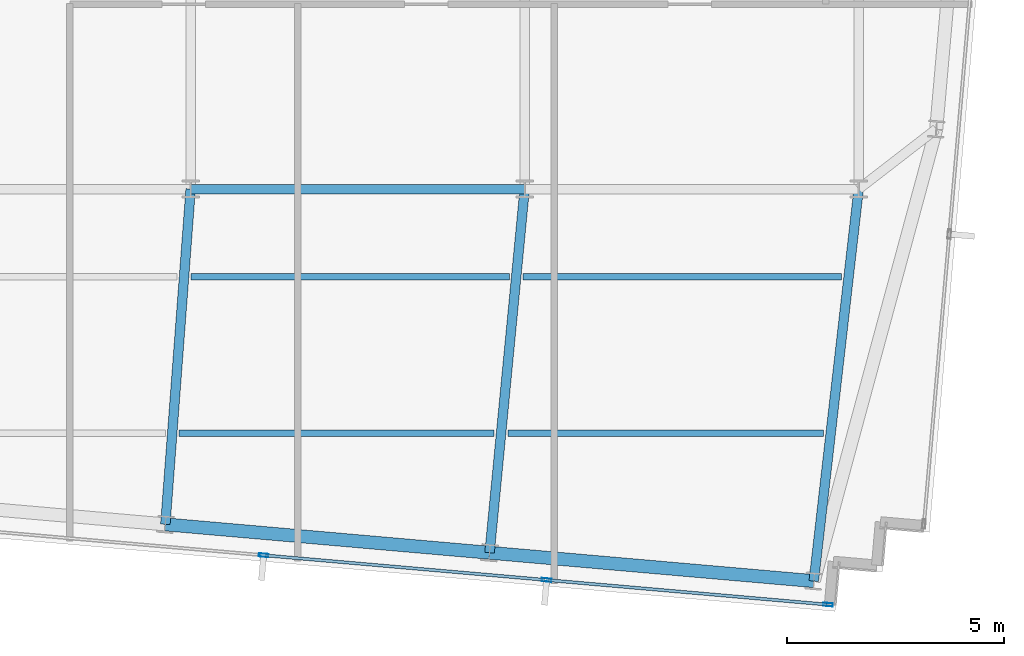
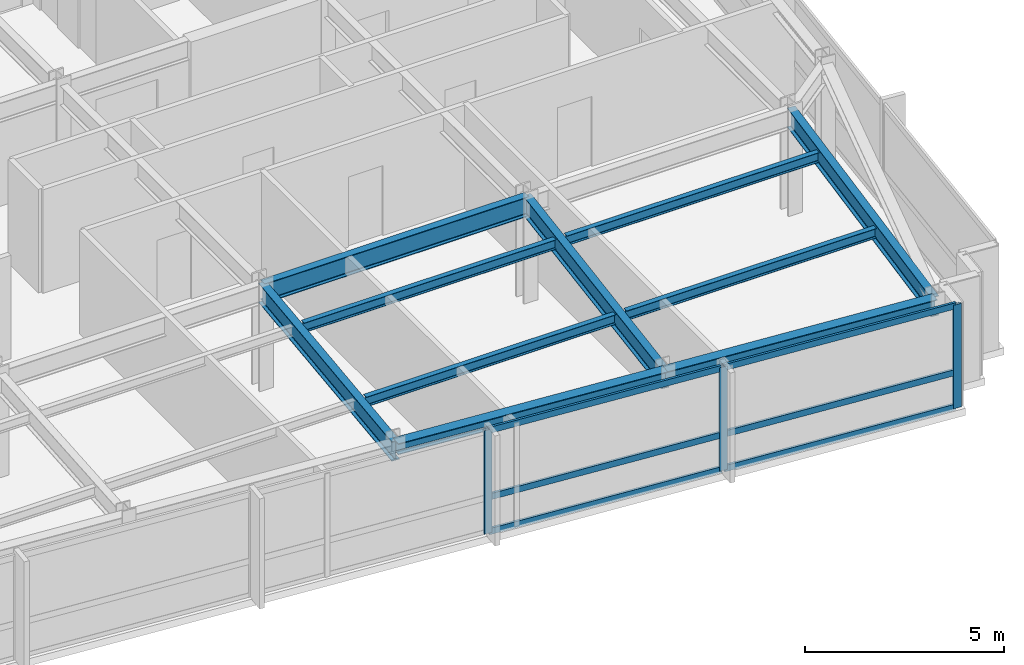
# One storey, part 10 of 24: 10 beams, 9 members, 1 element without a shape of its own.
"""IFC4 building model written with IfcOpenShell, lengths in metres."""

import ifcopenshell
import ifcopenshell.guid

model = None  # the IFC model being written
_history = None  # IfcOwnerHistory: only IFC2X3 demands one
_inside = {}  # id of a spatial element -> (the spatial element, [elements in it])
_under = {}  # id of a project, library or spatial element -> (it, [spatial elements below it])
_declared = {}  # id of a project -> (the project, [libraries it declares])
_typed = {}  # id of a type object -> (the type object, [elements of that type])
_made_of = {}  # id of a material, layer set ... -> (it, [elements and type objects made of it])


def new_model(schema):
    """Start an empty IFC model of exactly this schema.

    Asked for "IFC4X3", IfcOpenShell would pick the latest addendum, in which some entities
    have other attributes; the version numbers below select the first issue.
    IFC2X3 requires an IfcOwnerHistory on every rooted entity: one is made here for all.
    """
    global model, _history
    if schema == "IFC4X3":
        model = ifcopenshell.file(schema_version=(4, 3, 0, 0))
    else:
        model = ifcopenshell.file(schema=schema)
    _inside.clear()
    _under.clear()
    _declared.clear()
    _typed.clear()
    _made_of.clear()
    _history = None
    if model.schema == "IFC2X3":
        org = make("IfcOrganization", Name="unknown")
        user = make(
            "IfcPersonAndOrganization",
            ThePerson=make("IfcPerson", FamilyName="unknown"),
            TheOrganization=org,
        )
        app = make(
            "IfcApplication",
            ApplicationDeveloper=org,
            Version="unknown",
            ApplicationFullName="unknown",
            ApplicationIdentifier="unknown",
        )
        _history = make(
            "IfcOwnerHistory",
            OwningUser=user,
            OwningApplication=app,
            ChangeAction="ADDED",
            CreationDate=0,
        )
    return model


def make(cls, **values):
    """One entity of the class cls with the attributes given. An attribute that is None is left unset."""
    return model.create_entity(
        cls, **{name: value for name, value in values.items() if value is not None}
    )


def rooted(cls, **values):
    """An entity with a GlobalId (a new one), such as an element, a storey or a relation."""
    return make(cls, GlobalId=ifcopenshell.guid.new(), OwnerHistory=_history, **values)


def si_unit(unit_type, name, prefix=None):
    """IfcSIUnit, for example si_unit("LENGTHUNIT", "METRE", prefix="MILLI")."""
    return make("IfcSIUnit", UnitType=unit_type, Prefix=prefix, Name=name)


def assignment(units):
    """IfcUnitAssignment: the units of a project."""
    return None if units is None else make("IfcUnitAssignment", Units=units)


def point(xyz):
    """IfcCartesianPoint."""
    return None if xyz is None else make("IfcCartesianPoint", Coordinates=xyz)


def direction(xyz):
    """IfcDirection."""
    return None if xyz is None else make("IfcDirection", DirectionRatios=xyz)


def frame(location, z_axis=None, x_axis=None):
    """IfcAxis2Placement3D, a coordinate frame: its origin and axes. An axis left out is left unset."""
    return make(
        "IfcAxis2Placement3D",
        Location=point(location),
        Axis=direction(z_axis),
        RefDirection=direction(x_axis),
    )


def frame_2d(location, x_axis=None):
    """IfcAxis2Placement2D, a coordinate frame in the plane: its origin and x axis."""
    return make(
        "IfcAxis2Placement2D", Location=point(location), RefDirection=direction(x_axis)
    )


def origin():
    """The frame at (0, 0, 0) with its axes left unset."""
    return frame((0.0, 0.0, 0.0))


def origin_2d():
    """The frame at (0, 0) in the plane with its x axis left unset."""
    return frame_2d((0.0, 0.0))


def place(relative_to, where):
    """IfcLocalPlacement: puts the frame where relative to a parent placement (None: the world)."""
    return make(
        "IfcLocalPlacement", PlacementRelTo=relative_to, RelativePlacement=where
    )


def context(
    kind, dimensions, precision=None, world=None, true_north=None, identifier=None
):
    """IfcGeometricRepresentationContext, for example the 3D "Model" context."""
    return make(
        "IfcGeometricRepresentationContext",
        ContextIdentifier=identifier,
        ContextType=kind,
        CoordinateSpaceDimension=dimensions,
        Precision=precision,
        WorldCoordinateSystem=world,
        TrueNorth=true_north,
    )


def subcontext(parent, identifier, kind, view, scale=None):
    """IfcGeometricRepresentationSubContext, for example "Body" below "Model"."""
    return make(
        "IfcGeometricRepresentationSubContext",
        ContextIdentifier=identifier,
        ContextType=kind,
        ParentContext=parent,
        TargetScale=scale,
        TargetView=view,
    )


def project(units=None, contexts=None):
    """IfcProject with its units and contexts."""
    return rooted(
        "IfcProject",
        Name="project",
        RepresentationContexts=contexts,
        UnitsInContext=assignment(units),
    )


def spatial(cls, under=None, at=None, **own):
    """A site, building, storey or space (cls), placed at a placement, below another one or the project."""
    s = rooted(cls, ObjectPlacement=at, **own)
    if under is not None:
        _under.setdefault(under.id(), (under, []))[1].append(s)
    return s


def profile(cls, at=None, kind="AREA", **sizes):
    """A parametric profile (cls). Its sizes go by their IFC names, for example OverallWidth=200.0."""
    return make(cls, ProfileType=kind, Position=at, **sizes)


def hollow_rectangle(**sizes):
    """IfcRectangleHollowProfileDef."""
    return profile("IfcRectangleHollowProfileDef", **sizes)


def i_section(**sizes):
    """IfcIShapeProfileDef."""
    return profile("IfcIShapeProfileDef", **sizes)


def extrude(swept, where, along, depth):
    """IfcExtrudedAreaSolid: the profile swept, set in the frame where, extruded along a direction by depth."""
    return make(
        "IfcExtrudedAreaSolid",
        SweptArea=swept,
        Position=where,
        ExtrudedDirection=direction(along),
        Depth=depth,
    )


def shape(context_of_items, identifier, shape_type, items):
    """IfcShapeRepresentation: the items that make up one representation, for example the "Body"."""
    return make(
        "IfcShapeRepresentation",
        ContextOfItems=context_of_items,
        RepresentationIdentifier=identifier,
        RepresentationType=shape_type,
        Items=items,
    )


def material(Name=None, Category=None):
    """IfcMaterial."""
    return make("IfcMaterial", Name=Name, Category=Category)


def material_profile(
    of_material, cross_section, Name=None, Category=None, Priority=None
):
    """IfcMaterialProfile: a cross section and its material."""
    return make(
        "IfcMaterialProfile",
        Name=Name,
        Material=of_material,
        Profile=cross_section,
        Priority=Priority,
        Category=Category,
    )


def profile_set(profiles, Name=None, composite=None):
    """IfcMaterialProfileSet."""
    return make(
        "IfcMaterialProfileSet",
        Name=Name,
        MaterialProfiles=profiles,
        CompositeProfile=composite,
    )


def made_of(thing, what):
    """Note that an element or type object is made of a material, layer set ...; save() writes the relation."""
    if what is not None:
        _made_of.setdefault(what.id(), (what, []))[1].append(thing)
    return thing


def type_object(cls, material=None, **own):
    """A type object (cls), such as IfcWallType, which elements share."""
    return made_of(rooted(cls, **own), material)


def element(
    cls,
    number,
    at=None,
    inside=None,
    cuts=None,
    type_object=None,
    material=None,
    context=None,
    identifier="Body",
    shape_type=None,
    held_by="IfcProductDefinitionShape",
    body=None,
    shapes=None,
    **own,
):
    """One element of the class cls, such as IfcWall. Its Tag is "e" and its number.

    at: its placement. inside: the storey or other place that contains it. cuts: it is an
    opening in that element (IfcRelVoidsElement). A single representation is given by context,
    identifier, shape_type and body (its items); several are given by shapes. held_by: the class
    of the entity that holds the representations. save() writes the other relations.
    """
    e = rooted(cls, Tag="e%d" % number, ObjectPlacement=at, **own)
    if body is not None:
        shapes = [shape(context, identifier, shape_type, body)]
    if shapes is not None:
        e.Representation = make(held_by, Representations=shapes)
    if inside is not None:
        _inside.setdefault(inside.id(), (inside, []))[1].append(e)
    if cuts is not None:
        rooted(
            "IfcRelVoidsElement", RelatingBuildingElement=cuts, RelatedOpeningElement=e
        )
    if type_object is not None:
        _typed.setdefault(type_object.id(), (type_object, []))[1].append(e)
    return made_of(e, material)


def aggregate(whole, parts):
    """IfcRelAggregates: a whole, such as a stair, and the parts it consists of."""
    return rooted("IfcRelAggregates", RelatingObject=whole, RelatedObjects=parts)


def save(model, path):
    """Write the relations noted so far, then the file.

    IfcRelAggregates (storeys below a building ...), IfcRelContainedInSpatialStructure (elements
    in a storey), IfcRelDefinesByType, IfcRelAssociatesMaterial and IfcRelDeclares: one each for
    every whole, place, type object, material and project.
    """
    for whole, parts in _under.values():
        aggregate(whole, parts)
    for where, things in _inside.values():
        rooted(
            "IfcRelContainedInSpatialStructure",
            RelatedElements=things,
            RelatingStructure=where,
        )
    for kind, things in _typed.values():
        rooted("IfcRelDefinesByType", RelatedObjects=things, RelatingType=kind)
    for what, things in _made_of.values():
        rooted("IfcRelAssociatesMaterial", RelatedObjects=things, RelatingMaterial=what)
    for by, libraries in _declared.values():
        rooted("IfcRelDeclares", RelatingContext=by, RelatedDefinitions=libraries)
    model.write(path)


model = new_model("IFC4")

# Units and contexts
model_context = context("Model", 3, precision=1e-05, world=origin(), true_north=direction((0.0, 1.0)))
body_context = subcontext(model_context, "Body", "Model", "MODEL_VIEW")
ifc_project = project(units=[si_unit("LENGTHUNIT", "METRE"), si_unit("AREAUNIT", "SQUARE_METRE"), si_unit("VOLUMEUNIT", "CUBIC_METRE"), si_unit("PLANEANGLEUNIT", "RADIAN"), si_unit("MASSUNIT", "GRAM", prefix="KILO")], contexts=[model_context])

# Site, building, storey
site_placement = place(None, origin())
site = spatial("IfcSite", under=ifc_project, at=site_placement, CompositionType="ELEMENT")
building_placement = place(site_placement, origin())
building = spatial("IfcBuilding", under=site, at=building_placement, Name="Yelkora Congress Tower", CompositionType="ELEMENT")
storey_placement = place(building_placement, frame((0.0, 0.0, 296.5)))
storey = spatial("IfcBuildingStorey", under=building, at=storey_placement, Name="L83", CompositionType="ELEMENT", Elevation=296.5)

# Beams
ifc_material_1 = material(Name="Steel S355J2", Category="steel")
ifc_material_profile_1 = material_profile(ifc_material_1, i_section(OverallWidth=0.219970703125, OverallDepth=0.60009765625, WebThickness=0.011962890625, FlangeThickness=0.01904296875, FilletRadius=0.02392578125, at=origin_2d()), Name="IPE 600")
ifc_profile_set_1 = profile_set([ifc_material_profile_1], Name="Steel S355J2")
beam_type_1 = type_object("IfcBeamType", Name="BM-GIRD-IPE600", PredefinedType="BEAM", material=ifc_profile_set_1)
beam_1_placement = place(storey_placement, frame((38.39990234375, 25.199951171875, 2.8798828125), z_axis=(1.0, 0.0, 0.0), x_axis=(0.0, 1.0, 0.0)))
element("IfcBeam", 1, at=beam_1_placement, inside=storey, type_object=beam_type_1, Name="L83 Spine Grid D Girder 3", PredefinedType="BEAM", context=body_context, shape_type="SweptSolid", body=[
    extrude(i_section(OverallWidth=0.219970703125, OverallDepth=0.60009765625, WebThickness=0.011962890625, FlangeThickness=0.01904296875, FilletRadius=0.02392578125, at=origin_2d()), origin(), (0.0, 0.0, 1.0), 7.68017578125),
])
beam_2_placement = place(storey_placement, frame((37.8173828125, 17.489013671875, 2.8798828125), z_axis=(0.075329932006, 0.997158664077, 0.0), x_axis=(-0.997158664077, 0.075329932006, 0.0)))
element("IfcBeam", 2, at=beam_2_placement, inside=storey, type_object=beam_type_1, Name="L83 Primary Frame Girder S05", PredefinedType="BEAM", context=body_context, shape_type="SweptSolid", body=[
    extrude(i_section(OverallWidth=0.219970703125, OverallDepth=0.60009765625, WebThickness=0.011962890625, FlangeThickness=0.01904296875, FilletRadius=0.02392578125, at=origin_2d()), origin(), (0.0, 0.0, 1.0), 7.73291015625),
])
beam_3_placement = place(storey_placement, frame((45.2724609375, 16.836669921875, 2.8798828125), z_axis=(0.096119896563, 0.995369763196, 0.0), x_axis=(-0.995369763196, 0.096119896563, 0.0)))
element("IfcBeam", 3, at=beam_3_placement, inside=storey, type_object=beam_type_1, Name="L83 Primary Frame Girder S06", PredefinedType="BEAM", context=body_context, shape_type="SweptSolid", body=[
    extrude(i_section(OverallWidth=0.219970703125, OverallDepth=0.60009765625, WebThickness=0.011962890625, FlangeThickness=0.01904296875, FilletRadius=0.02392578125, at=origin_2d()), origin(), (0.0, 0.0, 1.0), 8.402099609375),
])
beam_4_placement = place(storey_placement, frame((52.727294921875, 16.1845703125, 2.8798828125), z_axis=(0.113806093355, 0.993502980929, 0.0), x_axis=(-0.993502980929, 0.113806093355, 0.0)))
element("IfcBeam", 4, at=beam_4_placement, inside=storey, type_object=beam_type_1, Name="L83 Primary Frame Girder S07", PredefinedType="BEAM", context=body_context, shape_type="SweptSolid", body=[
    extrude(i_section(OverallWidth=0.219970703125, OverallDepth=0.60009765625, WebThickness=0.011962890625, FlangeThickness=0.01904296875, FilletRadius=0.02392578125, at=origin_2d()), origin(), (0.0, 0.0, 1.0), 9.07421875),
])
ifc_material_profile_2 = material_profile(ifc_material_1, i_section(OverallWidth=0.14990234375, OverallDepth=0.300048828125, WebThickness=0.007080078125, FlangeThickness=0.0107421875, FilletRadius=0.014892578125, at=origin_2d()), Name="IPE 300")
ifc_profile_set_2 = profile_set([ifc_material_profile_2], Name="Steel S355J2")
beam_type_2 = type_object("IfcBeamType", Name="BM-JOIST-IPE300", PredefinedType="JOIST", material=ifc_profile_set_2)
beam_5_placement = place(storey_placement, frame((38.1357421875, 19.58447265625, 3.030029296875), z_axis=(1.0, 0.0, 0.0), x_axis=(0.0, 1.0, 0.0)))
element("IfcBeam", 5, at=beam_5_placement, inside=storey, type_object=beam_type_2, Name="L83 Composite Floor Joist 3", PredefinedType="JOIST", context=body_context, shape_type="SweptSolid", body=[
    extrude(i_section(OverallWidth=0.14990234375, OverallDepth=0.300048828125, WebThickness=0.007080078125, FlangeThickness=0.0107421875, FilletRadius=0.014892578125, at=origin_2d()), origin(), (0.0, 0.0, 1.0), 7.241943359375),
])
beam_6_placement = place(storey_placement, frame((45.69775390625, 19.58447265625, 3.030029296875), z_axis=(1.0, 0.0, 0.0), x_axis=(0.0, 1.0, 0.0)))
element("IfcBeam", 6, at=beam_6_placement, inside=storey, type_object=beam_type_2, Name="L83 Composite Floor Joist 4", PredefinedType="JOIST", context=body_context, shape_type="SweptSolid", body=[
    extrude(i_section(OverallWidth=0.14990234375, OverallDepth=0.300048828125, WebThickness=0.007080078125, FlangeThickness=0.0107421875, FilletRadius=0.014892578125, at=origin_2d()), origin(), (0.0, 0.0, 1.0), 7.259033203125),
])
beam_7_placement = place(storey_placement, frame((38.40771484375, 23.1845703125, 3.030029296875), z_axis=(1.0, 0.0, 0.0), x_axis=(0.0, 1.0, 0.0)))
element("IfcBeam", 7, at=beam_7_placement, inside=storey, type_object=beam_type_2, Name="L83 Composite Floor Joist 7", PredefinedType="JOIST", context=body_context, shape_type="SweptSolid", body=[
    extrude(i_section(OverallWidth=0.14990234375, OverallDepth=0.300048828125, WebThickness=0.007080078125, FlangeThickness=0.0107421875, FilletRadius=0.014892578125, at=origin_2d()), origin(), (0.0, 0.0, 1.0), 7.317626953125),
])
beam_8_placement = place(storey_placement, frame((46.04541015625, 23.1845703125, 3.030029296875), z_axis=(1.0, 0.0, 0.0), x_axis=(0.0, 1.0, 0.0)))
element("IfcBeam", 8, at=beam_8_placement, inside=storey, type_object=beam_type_2, Name="L83 Composite Floor Joist 8", PredefinedType="JOIST", context=body_context, shape_type="SweptSolid", body=[
    extrude(i_section(OverallWidth=0.14990234375, OverallDepth=0.300048828125, WebThickness=0.007080078125, FlangeThickness=0.0107421875, FilletRadius=0.014892578125, at=origin_2d()), origin(), (0.0, 0.0, 1.0), 7.32373046875),
])
ifc_material_profile_3 = material_profile(ifc_material_1, i_section(OverallWidth=0.300048828125, OverallDepth=0.340087890625, WebThickness=0.011962890625, FlangeThickness=0.021484375, FilletRadius=0.027099609375, at=origin_2d()), Name="HEB 340")
ifc_profile_set_3 = profile_set([ifc_material_profile_3], Name="Steel S355J2")
beam_type_3 = type_object("IfcBeamType", Name="BM-SPAN-HEB340", PredefinedType="SPANDREL", material=ifc_profile_set_3)
beam_9_placement = place(storey_placement, frame((37.8173828125, 17.489013671875, 3.010009765625), z_axis=(0.996193434204, -0.08717018785, 0.0), x_axis=(0.08717018785, 0.996193434204, 0.0)))
element("IfcBeam", 9, at=beam_9_placement, inside=storey, type_object=beam_type_3, Name="L83 Perimeter Beam 5", PredefinedType="SPANDREL", context=body_context, shape_type="SweptSolid", body=[
    extrude(i_section(OverallWidth=0.300048828125, OverallDepth=0.340087890625, WebThickness=0.011962890625, FlangeThickness=0.021484375, FilletRadius=0.027099609375, at=origin_2d()), origin(), (0.0, 0.0, 1.0), 7.483642578125),
])
beam_10_placement = place(storey_placement, frame((45.2724609375, 16.836669921875, 3.010009765625), z_axis=(0.99619601894, -0.087140644067, 0.0), x_axis=(0.087140644067, 0.99619601894, 0.0)))
element("IfcBeam", 10, at=beam_10_placement, inside=storey, type_object=beam_type_3, Name="L83 Perimeter Beam 6", PredefinedType="SPANDREL", context=body_context, shape_type="SweptSolid", body=[
    extrude(i_section(OverallWidth=0.300048828125, OverallDepth=0.340087890625, WebThickness=0.011962890625, FlangeThickness=0.021484375, FilletRadius=0.027099609375, at=origin_2d()), origin(), (0.0, 0.0, 1.0), 7.4833984375),
])

# Curtain wall, members
ifc_material_2 = material(Name="Anodised aluminium and insulated glass", Category="aluminium")
curtain_wall_type = type_object("IfcCurtainWallType", Name="CW-SYS-SKY", PredefinedType="NOTDEFINED", material=ifc_material_2)
curtain_wall_placement = place(storey_placement, origin())
curtain_wall = element("IfcCurtainWall", 11, at=curtain_wall_placement, inside=storey, type_object=curtain_wall_type, Name="L83 Unitised Curtain Wall 20", PredefinedType="NOTDEFINED")
ifc_material_3 = material(Name="Anodised aluminium 6063-T6", Category="aluminium")
ifc_material_profile_4 = material_profile(ifc_material_3, hollow_rectangle(XDim=0.074951171875, YDim=0.219970703125, WallThickness=0.0048828125, at=origin_2d()), Name="ALU 75x220x5")
ifc_profile_set_4 = profile_set([ifc_material_profile_4], Name="Anodised aluminium 6063-T6")
member_type_1 = type_object("IfcMemberType", Name="MEM-ML-SKY", PredefinedType="MULLION", material=ifc_profile_set_4)
member_1_placement = place(storey_placement, frame((53.0537109375, 15.64404296875, 0.0), z_axis=(0.0, 0.0, 1.0), x_axis=(-0.087156829793, -0.996194602987, 0.0)))
member_1 = element("IfcMember", 12, at=member_1_placement, type_object=member_type_1, Name="CW-SKY mullion 1", PredefinedType="MULLION", context=body_context, shape_type="SweptSolid", body=[
    extrude(hollow_rectangle(XDim=0.074951171875, YDim=0.219970703125, WallThickness=0.0048828125, at=origin_2d()), origin(), (0.0, 0.0, 1.0), 3.179931640625),
])
member_2_placement = place(storey_placement, frame((46.58447265625, 16.2099609375, 0.0), z_axis=(0.0, 0.0, 1.0), x_axis=(-0.087156829793, -0.996194602987, 0.0)))
member_2 = element("IfcMember", 13, at=member_2_placement, type_object=member_type_1, Name="CW-SKY mullion 2", PredefinedType="MULLION", context=body_context, shape_type="SweptSolid", body=[
    extrude(hollow_rectangle(XDim=0.074951171875, YDim=0.219970703125, WallThickness=0.0048828125, at=origin_2d()), origin(), (0.0, 0.0, 1.0), 3.179931640625),
])
member_3_placement = place(storey_placement, frame((40.077880859375, 16.779296875, 0.0), z_axis=(0.0, 0.0, 1.0), x_axis=(-0.087156829793, -0.996194602987, 0.0)))
member_3 = element("IfcMember", 14, at=member_3_placement, type_object=member_type_1, Name="CW-SKY mullion 3", PredefinedType="MULLION", context=body_context, shape_type="SweptSolid", body=[
    extrude(hollow_rectangle(XDim=0.074951171875, YDim=0.219970703125, WallThickness=0.0048828125, at=origin_2d()), origin(), (0.0, 0.0, 1.0), 3.179931640625),
])
ifc_material_profile_5 = material_profile(ifc_material_3, hollow_rectangle(XDim=0.070068359375, YDim=0.18994140625, WallThickness=0.00390625, at=origin_2d()), Name="ALU 70x190x4")
ifc_profile_set_5 = profile_set([ifc_material_profile_5], Name="Anodised aluminium 6063-T6")
member_type_2 = type_object("IfcMemberType", Name="MEM-TR-SKY", PredefinedType="USERDEFINED", material=ifc_profile_set_5)
member_4_placement = place(storey_placement, frame((53.016357421875, 15.647216796875, 0.034912109375), z_axis=(-0.996193056925, 0.087174499331, 0.0), x_axis=(-0.087174499331, -0.996193056925, 0.0)))
member_4 = element("IfcMember", 15, at=member_4_placement, type_object=member_type_2, Name="CW-SKY transom 1.1", ObjectType="TRANSOM", PredefinedType="USERDEFINED", context=body_context, shape_type="SweptSolid", body=[
    extrude(hollow_rectangle(XDim=0.070068359375, YDim=0.18994140625, WallThickness=0.00390625, at=origin_2d()), origin(), (0.0, 0.0, 1.0), 6.4189453125),
])
member_5_placement = place(storey_placement, frame((53.016357421875, 15.647216796875, 1.10009765625), z_axis=(-0.996193056925, 0.087174499331, 0.0), x_axis=(-0.087174499331, -0.996193056925, 0.0)))
member_5 = element("IfcMember", 16, at=member_5_placement, type_object=member_type_2, Name="CW-SKY transom 1.2", ObjectType="TRANSOM", PredefinedType="USERDEFINED", context=body_context, shape_type="SweptSolid", body=[
    extrude(hollow_rectangle(XDim=0.070068359375, YDim=0.18994140625, WallThickness=0.00390625, at=origin_2d()), origin(), (0.0, 0.0, 1.0), 6.4189453125),
])
member_6_placement = place(storey_placement, frame((53.016357421875, 15.647216796875, 3.14501953125), z_axis=(-0.996193056925, 0.087174499331, 0.0), x_axis=(-0.087174499331, -0.996193056925, 0.0)))
member_6 = element("IfcMember", 17, at=member_6_placement, type_object=member_type_2, Name="CW-SKY transom 1.3", ObjectType="TRANSOM", PredefinedType="USERDEFINED", context=body_context, shape_type="SweptSolid", body=[
    extrude(hollow_rectangle(XDim=0.070068359375, YDim=0.18994140625, WallThickness=0.00390625, at=origin_2d()), origin(), (0.0, 0.0, 1.0), 6.4189453125),
])
member_7_placement = place(storey_placement, frame((46.547119140625, 16.213134765625, 0.034912109375), z_axis=(-0.996194333134, 0.087159914135, 0.0), x_axis=(-0.087159914135, -0.996194333134, 0.0)))
member_7 = element("IfcMember", 18, at=member_7_placement, type_object=member_type_2, Name="CW-SKY transom 2.1", ObjectType="TRANSOM", PredefinedType="USERDEFINED", context=body_context, shape_type="SweptSolid", body=[
    extrude(hollow_rectangle(XDim=0.070068359375, YDim=0.18994140625, WallThickness=0.00390625, at=origin_2d()), origin(), (0.0, 0.0, 1.0), 6.45654296875),
])
member_8_placement = place(storey_placement, frame((46.547119140625, 16.213134765625, 1.10009765625), z_axis=(-0.996194333134, 0.087159914135, 0.0), x_axis=(-0.087159914135, -0.996194333134, 0.0)))
member_8 = element("IfcMember", 19, at=member_8_placement, type_object=member_type_2, Name="CW-SKY transom 2.2", ObjectType="TRANSOM", PredefinedType="USERDEFINED", context=body_context, shape_type="SweptSolid", body=[
    extrude(hollow_rectangle(XDim=0.070068359375, YDim=0.18994140625, WallThickness=0.00390625, at=origin_2d()), origin(), (0.0, 0.0, 1.0), 6.45654296875),
])
member_9_placement = place(storey_placement, frame((46.547119140625, 16.213134765625, 3.14501953125), z_axis=(-0.996194333134, 0.087159914135, 0.0), x_axis=(-0.087159914135, -0.996194333134, 0.0)))
member_9 = element("IfcMember", 20, at=member_9_placement, type_object=member_type_2, Name="CW-SKY transom 2.3", ObjectType="TRANSOM", PredefinedType="USERDEFINED", context=body_context, shape_type="SweptSolid", body=[
    extrude(hollow_rectangle(XDim=0.070068359375, YDim=0.18994140625, WallThickness=0.00390625, at=origin_2d()), origin(), (0.0, 0.0, 1.0), 6.45654296875),
])
aggregate(curtain_wall, [member_1, member_2, member_3, member_4, member_5, member_6, member_7, member_8, member_9])

save(model, "model.ifc")
